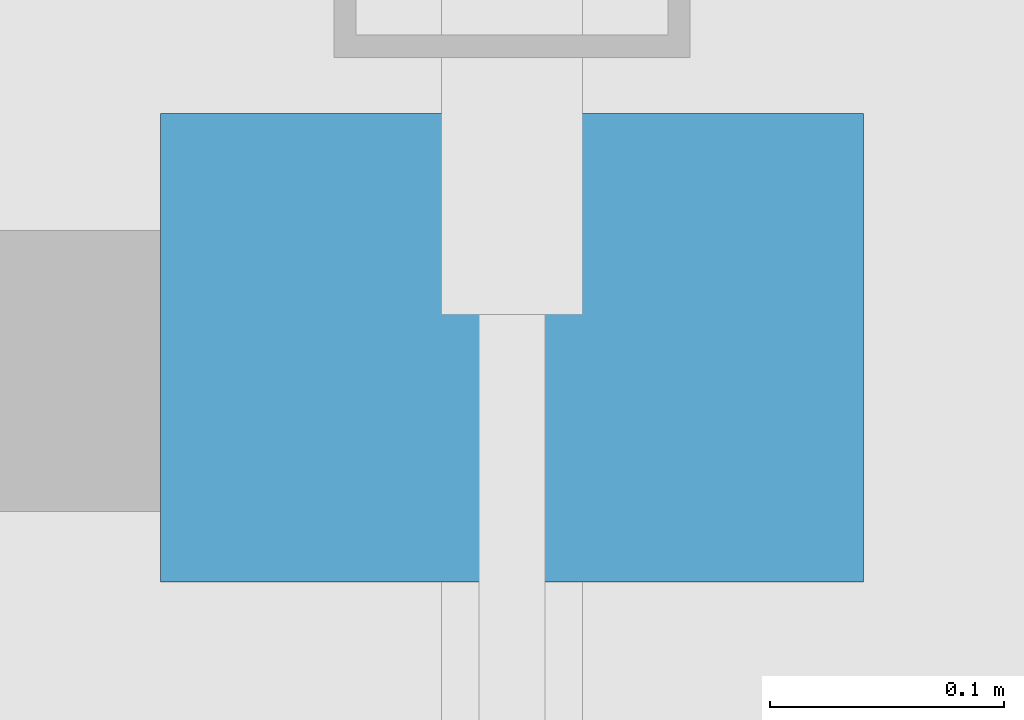
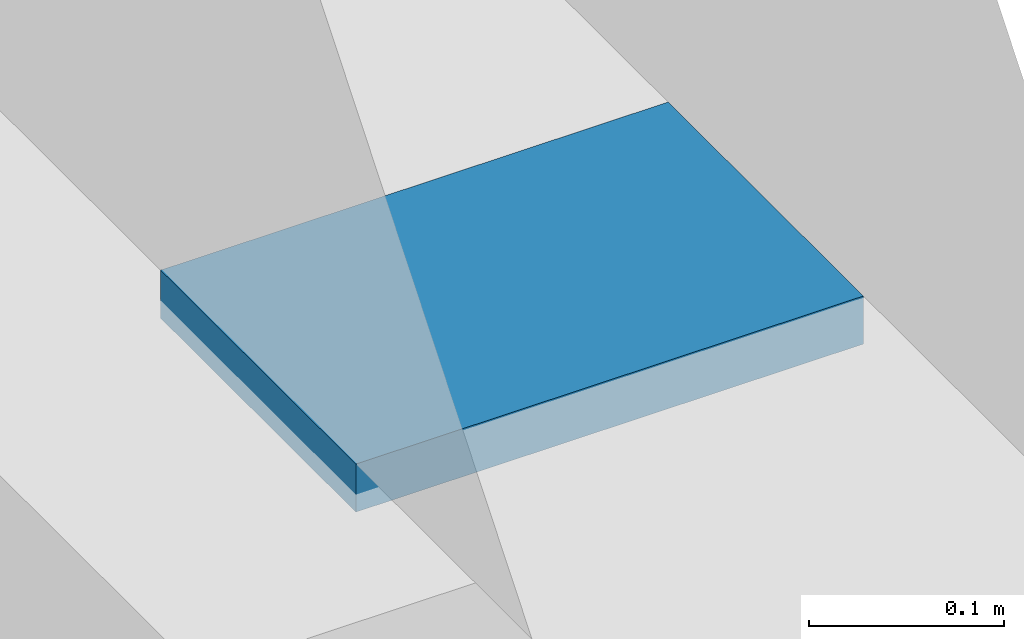
# One storey, part 110 of 131: 1 discrete accessory.
"""IFC4 building model written with IfcOpenShell, lengths in metres."""

from ifc_helpers import new_model, si_unit, direction, frame, origin, origin_2d, place, context, subcontext, project, spatial, rectangle, extrude, material, material_profile, profile_set, type_object, element, save


model = new_model("IFC4")

# Units and contexts
model_context = context("Model", 3, precision=1e-05, world=origin(), true_north=direction((0.0, 1.0)))
body_context = subcontext(model_context, "Body", "Model", "MODEL_VIEW")
ifc_project = project(units=[si_unit("LENGTHUNIT", "METRE"), si_unit("AREAUNIT", "SQUARE_METRE"), si_unit("VOLUMEUNIT", "CUBIC_METRE"), si_unit("PLANEANGLEUNIT", "RADIAN"), si_unit("MASSUNIT", "GRAM", prefix="KILO")], contexts=[model_context])

# Site, building, storey
site_placement = place(None, origin())
site = spatial("IfcSite", under=ifc_project, at=site_placement, CompositionType="ELEMENT")
building_placement = place(site_placement, origin())
building = spatial("IfcBuilding", under=site, at=building_placement, Name="Alderwick Market Hall", CompositionType="ELEMENT")
storey_placement = place(building_placement, frame((0.0, 0.0, 4.800048828125)))
storey = spatial("IfcBuildingStorey", under=building, at=storey_placement, Name="L00", CompositionType="ELEMENT", Elevation=4.800048828125)

# Discrete accessory
ifc_material = material(Name="PTFE-faced stainless steel sliding bearing on steel plate, ASTM A709 Grade 50", Category="steel")
ifc_material_profile = material_profile(ifc_material, rectangle(XDim=0.300048828125, YDim=0.030029296875, at=origin_2d()), Name="P Sliding Bearing 300x200x30")
ifc_profile_set = profile_set([ifc_material_profile], Name="PTFE-faced stainless steel sliding bearing on steel plate, ASTM A709 Grade 50")
discrete_accessory_type = type_object("IfcDiscreteAccessoryType", Name="P Sliding Bearing 300x200x30", PredefinedType="SHOE", material=ifc_profile_set)
discrete_accessory_placement = place(storey_placement, frame((129.300048828125, 114.5, -1.1650390625), z_axis=(0.0, 1.0, 0.0), x_axis=(-1.0, 0.0, 0.0)))
element("IfcDiscreteAccessory", 1, at=discrete_accessory_placement, inside=storey, type_object=discrete_accessory_type, Name="Sliding bearing", PredefinedType="SHOE", context=body_context, shape_type="SweptSolid", body=[
    extrude(rectangle(XDim=0.300048828125, YDim=0.030029296875, at=origin_2d()), origin(), (0.0, 0.0, 1.0), 0.199951171875),
])

save(model, "model.ifc")
